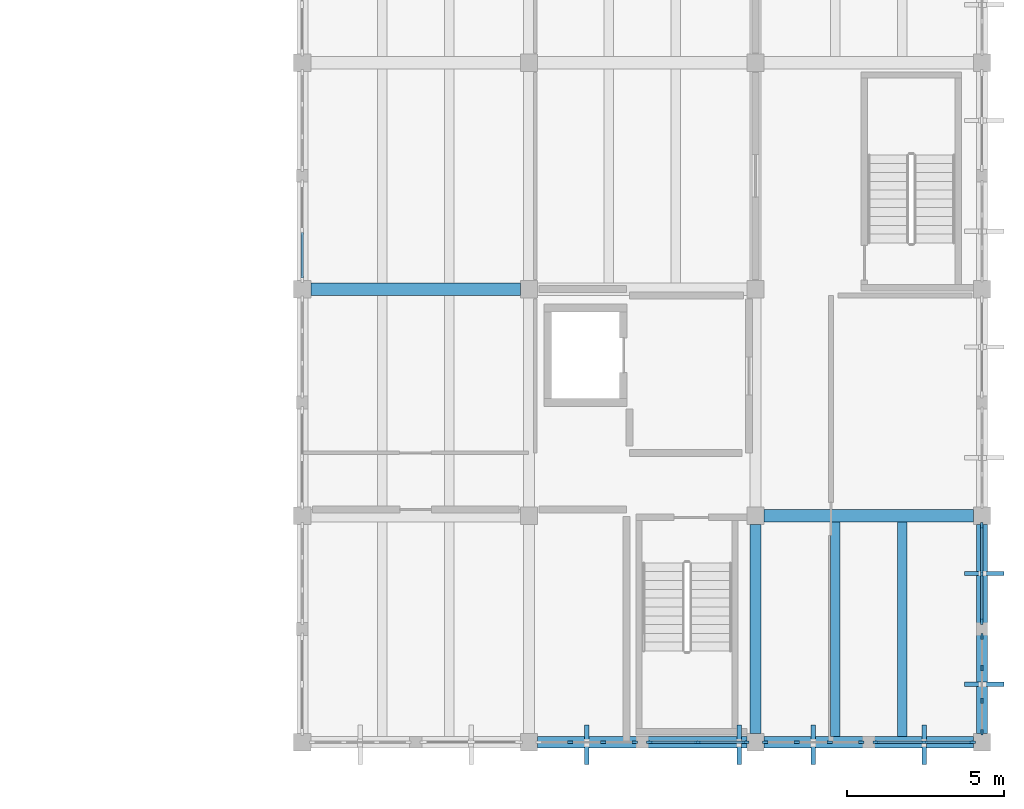
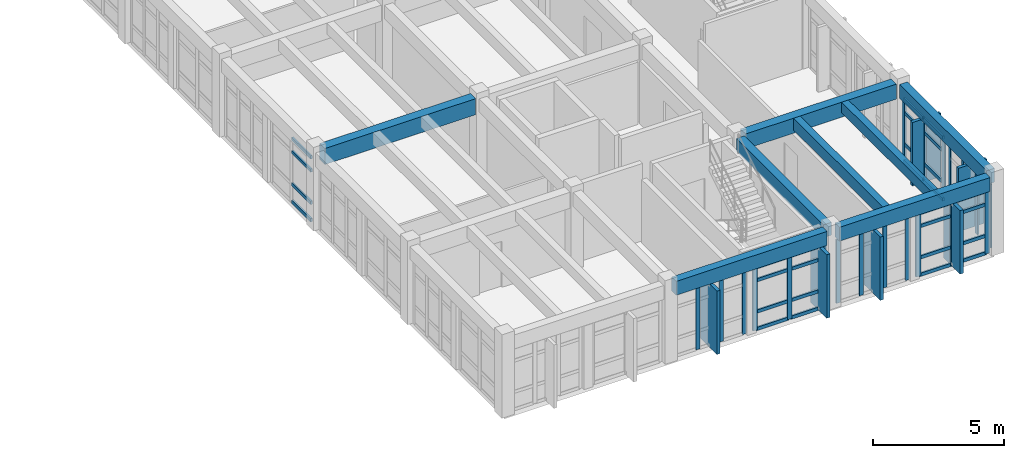
# One storey, part 3 of 22: 54 members, 8 beams, 7 elements without a shape of their own.
"""IFC4 building model written with IfcOpenShell, lengths in metres."""

from ifc_helpers import new_model, si_unit, direction, frame, origin, origin_2d, place, context, subcontext, project, spatial, rectangle, extrude, material, layer, layer_set, material_profile, profile_set, type_object, element, aggregate, save


model = new_model("IFC4")

# Units and contexts
model_context = context("Model", 3, precision=1e-05, world=origin(), true_north=direction((0.0, 1.0)))
body_context = subcontext(model_context, "Body", "Model", "MODEL_VIEW")
ifc_project = project(units=[si_unit("LENGTHUNIT", "METRE"), si_unit("AREAUNIT", "SQUARE_METRE"), si_unit("VOLUMEUNIT", "CUBIC_METRE"), si_unit("PLANEANGLEUNIT", "RADIAN"), si_unit("MASSUNIT", "GRAM", prefix="KILO")], contexts=[model_context])

# Site, building, storey
site_placement = place(None, origin())
site = spatial("IfcSite", under=ifc_project, at=site_placement, CompositionType="ELEMENT")
building_placement = place(site_placement, origin())
building = spatial("IfcBuilding", under=site, at=building_placement, Name="Koriwan Promenade Central Fire Station", CompositionType="ELEMENT")
storey_placement = place(building_placement, frame((0.0, 0.0, 17.39990234375)))
storey = spatial("IfcBuildingStorey", under=building, at=storey_placement, Name="L04", CompositionType="ELEMENT", Elevation=17.39990234375)

# Beams
ifc_material_1 = material(Name="Concrete C35/45", Category="concrete")
ifc_material_profile_1 = material_profile(ifc_material_1, rectangle(XDim=0.300048828125, YDim=0.5, at=origin_2d()), Name="RC-BM-300x500")
ifc_profile_set_1 = profile_set([ifc_material_profile_1], Name="Concrete C35/45")
beam_type_1 = type_object("IfcBeamType", Name="Beam_RC-BM-300x500", PredefinedType="JOIST", material=ifc_profile_set_1)
beam_1_placement = place(storey_placement, frame((170.263916015625, 0.175048828125, 3.3701171875), z_axis=(0.0, 1.0, 0.0), x_axis=(-1.0, 0.0, 0.0)))
element("IfcBeam", 1, at=beam_1_placement, inside=storey, type_object=beam_type_1, Name="V5 L04 secondary joist 969", PredefinedType="JOIST", context=body_context, shape_type="SweptSolid", body=[
    extrude(rectangle(XDim=0.300048828125, YDim=0.5, at=origin_2d()), origin(), (0.0, 0.0, 1.0), 6.824951171875),
])
ifc_material_profile_2 = material_profile(ifc_material_1, rectangle(XDim=0.300048828125, YDim=0.550048828125, at=origin_2d()), Name="RC-BM-300x550")
ifc_profile_set_2 = profile_set([ifc_material_profile_2], Name="Concrete C35/45")
beam_type_2 = type_object("IfcBeamType", Name="Beam_RC-BM-300x550", PredefinedType="JOIST", material=ifc_profile_set_2)
beam_2_placement = place(storey_placement, frame((168.135986328125, 0.175048828125, 3.34521484375), z_axis=(0.0, 1.0, 0.0), x_axis=(-1.0, 0.0, 0.0)))
element("IfcBeam", 2, at=beam_2_placement, inside=storey, type_object=beam_type_2, Name="V5 L04 secondary joist 968", PredefinedType="JOIST", context=body_context, shape_type="SweptSolid", body=[
    extrude(rectangle(XDim=0.300048828125, YDim=0.550048828125, at=origin_2d()), origin(), (0.0, 0.0, 1.0), 6.824951171875),
])
ifc_material_profile_3 = material_profile(ifc_material_1, rectangle(XDim=0.35009765625, YDim=0.60009765625, at=origin_2d()), Name="RC-BM-350x600")
ifc_profile_set_3 = profile_set([ifc_material_profile_3], Name="Concrete C35/45")
beam_type_3 = type_object("IfcBeamType", Name="Beam_RC-BM-350x600", PredefinedType="BEAM", material=ifc_profile_set_3)
beam_3_placement = place(storey_placement, frame((165.60009765625, 0.27490234375, 3.320068359375), z_axis=(0.0, 1.0, 0.0), x_axis=(-1.0, 0.0, 0.0)))
element("IfcBeam", 3, at=beam_3_placement, inside=storey, type_object=beam_type_3, Name="V5 L04 girder Y-956", PredefinedType="BEAM", context=body_context, shape_type="SweptSolid", body=[
    extrude(rectangle(XDim=0.35009765625, YDim=0.60009765625, at=origin_2d()), origin(), (0.0, 0.0, 1.0), 6.650146484375),
])
ifc_material_profile_4 = material_profile(ifc_material_1, rectangle(XDim=0.35009765625, YDim=0.64990234375, at=origin_2d()), Name="RC-BM-350x650")
ifc_profile_set_4 = profile_set([ifc_material_profile_4], Name="Concrete C35/45")
beam_type_4 = type_object("IfcBeamType", Name="Beam_RC-BM-350x650", PredefinedType="BEAM", material=ifc_profile_set_4)
beam_4_placement = place(storey_placement, frame((172.800048828125, 0.27490234375, 3.295166015625), z_axis=(0.0, 1.0, 0.0), x_axis=(-1.0, 0.0, 0.0)))
element("IfcBeam", 4, at=beam_4_placement, inside=storey, type_object=beam_type_4, Name="V5 L04 girder Y-961", PredefinedType="BEAM", context=body_context, shape_type="SweptSolid", body=[
    extrude(rectangle(XDim=0.35009765625, YDim=0.64990234375, at=origin_2d()), origin(), (0.0, 0.0, 1.0), 6.650146484375),
])
ifc_material_profile_5 = material_profile(ifc_material_1, rectangle(XDim=0.39990234375, YDim=0.699951171875, at=origin_2d()), Name="RC-BM-400x700")
ifc_profile_set_5 = profile_set([ifc_material_profile_5], Name="Concrete C35/45")
beam_type_5 = type_object("IfcBeamType", Name="Beam_RC-BM-400x700", PredefinedType="BEAM", material=ifc_profile_set_5)
beam_5_placement = place(storey_placement, frame((165.875, 7.199951171875, 3.27001953125), z_axis=(1.0, 0.0, 0.0), x_axis=(0.0, 1.0, 0.0)))
element("IfcBeam", 5, at=beam_5_placement, inside=storey, type_object=beam_type_5, Name="V5 L04 girder X-934", PredefinedType="BEAM", context=body_context, shape_type="SweptSolid", body=[
    extrude(rectangle(XDim=0.39990234375, YDim=0.699951171875, at=origin_2d()), origin(), (0.0, 0.0, 1.0), 6.64990234375),
])
ifc_material_profile_6 = material_profile(ifc_material_1, rectangle(XDim=0.39990234375, YDim=0.75, at=origin_2d()), Name="RC-BM-400x750")
ifc_profile_set_6 = profile_set([ifc_material_profile_6], Name="Concrete C35/45")
beam_type_6 = type_object("IfcBeamType", Name="Beam_RC-BM-400x750", PredefinedType="BEAM", material=ifc_profile_set_6)
beam_6_placement = place(storey_placement, frame((151.47509765625, 14.39990234375, 3.2451171875), z_axis=(1.0, 0.0, 0.0), x_axis=(0.0, 1.0, 0.0)))
element("IfcBeam", 6, at=beam_6_placement, inside=storey, type_object=beam_type_6, Name="V5 L04 girder X-935", PredefinedType="BEAM", context=body_context, shape_type="SweptSolid", body=[
    extrude(rectangle(XDim=0.39990234375, YDim=0.75, at=origin_2d()), origin(), (0.0, 0.0, 1.0), 6.64990234375),
])
ifc_material_profile_7 = material_profile(ifc_material_1, rectangle(XDim=0.35009765625, YDim=0.64990234375, at=origin_2d()), Name="RC-SP-350x650")
ifc_profile_set_7 = profile_set([ifc_material_profile_7], Name="Concrete C35/45")
beam_type_7 = type_object("IfcBeamType", Name="Beam_RC-SP-350x650", PredefinedType="SPANDREL", material=ifc_profile_set_7)
for number, where, z_axis, x_axis, name in (
    (7, (158.675048828125, 0.0, 3.295166015625), (1.0, 0.0, 0.0), (0.0, 1.0, 0.0), "V5 L04 girder X-931"),
    (8, (165.875, 0.0, 3.295166015625), (1.0, 0.0, 0.0), (0.0, 1.0, 0.0), "V5 L04 girder X-932"),
):
    element("IfcBeam", number, at=place(storey_placement, frame(where, z_axis=z_axis, x_axis=x_axis)), inside=storey, type_object=beam_type_7, Name=name, PredefinedType="SPANDREL", context=body_context, shape_type="SweptSolid", body=[
        extrude(rectangle(XDim=0.35009765625, YDim=0.64990234375, at=origin_2d()), origin(), (0.0, 0.0, 1.0), 6.64990234375),
    ])

# Curtain wall, members
ifc_material_2 = material(Name="Aluminium EN AW-6063-T6 and low-E glazing", Category="aluminium")
ifc_layer_1 = layer(ifc_material_2, 0.159912109375, Name="Aluminium EN AW-6063-T6 and low-E glazing")
ifc_layer_set_1 = layer_set([ifc_layer_1], Name="Aluminium EN AW-6063-T6 and low-E glazing")
curtain_wall_type_1 = type_object("IfcCurtainWallType", Name="CurtainWall_82_312x296", PredefinedType="USERDEFINED", material=ifc_layer_set_1)
curtain_wall_1_placement = place(storey_placement, origin())
curtain_wall_1 = element("IfcCurtainWall", 9, at=curtain_wall_1_placement, inside=storey, type_object=curtain_wall_type_1, Name="V5 L04 unitised curtain wall 251", ObjectType="UNITISED CURTAIN WALL", PredefinedType="USERDEFINED")
ifc_material_3 = material(Name="Aluminium EN AW-6063-T6", Category="aluminium")
ifc_material_profile_8 = material_profile(ifc_material_3, rectangle(XDim=0.074951171875, YDim=0.179931640625, at=origin_2d()), Name="ALU-MUL-75x180")
ifc_profile_set_8 = profile_set([ifc_material_profile_8], Name="Aluminium EN AW-6063-T6")
member_type_1 = type_object("IfcMemberType", Name="CWMullion_ALU-MUL-75x180", PredefinedType="MULLION", material=ifc_profile_set_8)
member_1_placement = place(storey_placement, frame((172.800048828125, 0.3125, 0.0), z_axis=(0.0, 0.0, 1.0), x_axis=(-1.0, 0.0, 0.0)))
member_1 = element("IfcMember", 10, at=member_1_placement, type_object=member_type_1, Name="CW-82 mullion 1", PredefinedType="MULLION", context=body_context, shape_type="SweptSolid", body=[
    extrude(rectangle(XDim=0.074951171875, YDim=0.179931640625, at=origin_2d()), origin(), (0.0, 0.0, 1.0), 2.960205078125),
])
member_2_placement = place(storey_placement, frame((172.800048828125, 1.316650390625, 0.0), z_axis=(0.0, 0.0, 1.0), x_axis=(-1.0, 0.0, 0.0)))
member_2 = element("IfcMember", 11, at=member_2_placement, type_object=member_type_1, Name="CW-82 mullion 2", PredefinedType="MULLION", context=body_context, shape_type="SweptSolid", body=[
    extrude(rectangle(XDim=0.074951171875, YDim=0.179931640625, at=origin_2d()), origin(), (0.0, 0.0, 1.0), 2.960205078125),
])
member_3_placement = place(storey_placement, frame((172.800048828125, 2.3583984375, 0.0), z_axis=(0.0, 0.0, 1.0), x_axis=(-1.0, 0.0, 0.0)))
member_3 = element("IfcMember", 12, at=member_3_placement, type_object=member_type_1, Name="CW-82 mullion 3", PredefinedType="MULLION", context=body_context, shape_type="SweptSolid", body=[
    extrude(rectangle(XDim=0.074951171875, YDim=0.179931640625, at=origin_2d()), origin(), (0.0, 0.0, 1.0), 2.960205078125),
])
member_4_placement = place(storey_placement, frame((172.800048828125, 3.362548828125, 0.0), z_axis=(0.0, 0.0, 1.0), x_axis=(-1.0, 0.0, 0.0)))
member_4 = element("IfcMember", 13, at=member_4_placement, type_object=member_type_1, Name="CW-82 mullion 4", PredefinedType="MULLION", context=body_context, shape_type="SweptSolid", body=[
    extrude(rectangle(XDim=0.074951171875, YDim=0.179931640625, at=origin_2d()), origin(), (0.0, 0.0, 1.0), 2.960205078125),
])
aggregate(curtain_wall_1, [member_1, member_2, member_3, member_4])

curtain_wall_2_placement = place(storey_placement, origin())
curtain_wall_2 = element("IfcCurtainWall", 14, at=curtain_wall_2_placement, inside=storey, type_object=curtain_wall_type_1, Name="V5 L04 unitised curtain wall 273", ObjectType="UNITISED CURTAIN WALL", PredefinedType="USERDEFINED")
member_5_placement = place(storey_placement, frame((159.716552734375, 0.0, 0.0), z_axis=(0.0, 0.0, 1.0), x_axis=(0.0, 1.0, 0.0)))
member_5 = element("IfcMember", 15, at=member_5_placement, type_object=member_type_1, Name="CW-82 mullion 2", PredefinedType="MULLION", context=body_context, shape_type="SweptSolid", body=[
    extrude(rectangle(XDim=0.074951171875, YDim=0.179931640625, at=origin_2d()), origin(), (0.0, 0.0, 1.0), 2.960205078125),
])
member_6_placement = place(storey_placement, frame((160.75830078125, 0.0, 0.0), z_axis=(0.0, 0.0, 1.0), x_axis=(0.0, 1.0, 0.0)))
member_6 = element("IfcMember", 16, at=member_6_placement, type_object=member_type_1, Name="CW-82 mullion 3", PredefinedType="MULLION", context=body_context, shape_type="SweptSolid", body=[
    extrude(rectangle(XDim=0.074951171875, YDim=0.179931640625, at=origin_2d()), origin(), (0.0, 0.0, 1.0), 2.960205078125),
])
member_7_placement = place(storey_placement, frame((161.762451171875, 0.0, 0.0), z_axis=(0.0, 0.0, 1.0), x_axis=(0.0, 1.0, 0.0)))
member_7 = element("IfcMember", 17, at=member_7_placement, type_object=member_type_1, Name="CW-82 mullion 4", PredefinedType="MULLION", context=body_context, shape_type="SweptSolid", body=[
    extrude(rectangle(XDim=0.074951171875, YDim=0.179931640625, at=origin_2d()), origin(), (0.0, 0.0, 1.0), 2.960205078125),
])
aggregate(curtain_wall_2, [member_5, member_6, member_7])

curtain_wall_3_placement = place(storey_placement, origin())
curtain_wall_3 = element("IfcCurtainWall", 18, at=curtain_wall_3_placement, inside=storey, type_object=curtain_wall_type_1, Name="V5 L04 unitised curtain wall 275", ObjectType="UNITISED CURTAIN WALL", PredefinedType="USERDEFINED")
member_8_placement = place(storey_placement, frame((165.91259765625, 0.0, 0.0), z_axis=(0.0, 0.0, 1.0), x_axis=(0.0, 1.0, 0.0)))
member_8 = element("IfcMember", 19, at=member_8_placement, type_object=member_type_1, Name="CW-82 mullion 1", PredefinedType="MULLION", context=body_context, shape_type="SweptSolid", body=[
    extrude(rectangle(XDim=0.074951171875, YDim=0.179931640625, at=origin_2d()), origin(), (0.0, 0.0, 1.0), 2.960205078125),
])
member_9_placement = place(storey_placement, frame((166.916748046875, 0.0, 0.0), z_axis=(0.0, 0.0, 1.0), x_axis=(0.0, 1.0, 0.0)))
member_9 = element("IfcMember", 20, at=member_9_placement, type_object=member_type_1, Name="CW-82 mullion 2", PredefinedType="MULLION", context=body_context, shape_type="SweptSolid", body=[
    extrude(rectangle(XDim=0.074951171875, YDim=0.179931640625, at=origin_2d()), origin(), (0.0, 0.0, 1.0), 2.960205078125),
])
member_10_placement = place(storey_placement, frame((167.958251953125, 0.0, 0.0), z_axis=(0.0, 0.0, 1.0), x_axis=(0.0, 1.0, 0.0)))
member_10 = element("IfcMember", 21, at=member_10_placement, type_object=member_type_1, Name="CW-82 mullion 3", PredefinedType="MULLION", context=body_context, shape_type="SweptSolid", body=[
    extrude(rectangle(XDim=0.074951171875, YDim=0.179931640625, at=origin_2d()), origin(), (0.0, 0.0, 1.0), 2.960205078125),
])
member_11_placement = place(storey_placement, frame((168.96240234375, 0.0, 0.0), z_axis=(0.0, 0.0, 1.0), x_axis=(0.0, 1.0, 0.0)))
member_11 = element("IfcMember", 22, at=member_11_placement, type_object=member_type_1, Name="CW-82 mullion 4", PredefinedType="MULLION", context=body_context, shape_type="SweptSolid", body=[
    extrude(rectangle(XDim=0.074951171875, YDim=0.179931640625, at=origin_2d()), origin(), (0.0, 0.0, 1.0), 2.960205078125),
])
aggregate(curtain_wall_3, [member_8, member_9, member_10, member_11])

ifc_layer_2 = layer(ifc_material_2, 0.159912109375, Name="Aluminium EN AW-6063-T6 and low-E glazing")
ifc_layer_set_2 = layer_set([ifc_layer_2], Name="Aluminium EN AW-6063-T6 and low-E glazing")
curtain_wall_type_2 = type_object("IfcCurtainWallType", Name="CurtainWall_83_312x296", PredefinedType="USERDEFINED", material=ifc_layer_set_2)
curtain_wall_4_placement = place(storey_placement, origin())
curtain_wall_4 = element("IfcCurtainWall", 23, at=curtain_wall_4_placement, inside=storey, type_object=curtain_wall_type_2, Name="V5 L04 unitised curtain wall 252", ObjectType="UNITISED CURTAIN WALL", PredefinedType="USERDEFINED")
ifc_material_profile_9 = material_profile(ifc_material_3, rectangle(XDim=0.080078125, YDim=0.2099609375, at=origin_2d()), Name="ALU-MUL-80x210")
ifc_profile_set_9 = profile_set([ifc_material_profile_9], Name="Aluminium EN AW-6063-T6")
member_type_2 = type_object("IfcMemberType", Name="CWMullion_ALU-MUL-80x210", PredefinedType="MULLION", material=ifc_profile_set_9)
member_12_placement = place(storey_placement, frame((172.800048828125, 3.840087890625, 0.0), z_axis=(0.0, 0.0, 1.0), x_axis=(-1.0, 0.0, 0.0)))
member_12 = element("IfcMember", 24, at=member_12_placement, type_object=member_type_2, Name="CW-83 mullion 1", PredefinedType="MULLION", context=body_context, shape_type="SweptSolid", body=[
    extrude(rectangle(XDim=0.080078125, YDim=0.2099609375, at=origin_2d()), origin(), (0.0, 0.0, 1.0), 2.960205078125),
])
member_13_placement = place(storey_placement, frame((172.800048828125, 5.362548828125, 0.0), z_axis=(0.0, 0.0, 1.0), x_axis=(-1.0, 0.0, 0.0)))
member_13 = element("IfcMember", 25, at=member_13_placement, type_object=member_type_2, Name="CW-83 mullion 2", PredefinedType="MULLION", context=body_context, shape_type="SweptSolid", body=[
    extrude(rectangle(XDim=0.080078125, YDim=0.2099609375, at=origin_2d()), origin(), (0.0, 0.0, 1.0), 2.960205078125),
])
member_14_placement = place(storey_placement, frame((172.800048828125, 6.885009765625, 0.0), z_axis=(0.0, 0.0, 1.0), x_axis=(-1.0, 0.0, 0.0)))
member_14 = element("IfcMember", 26, at=member_14_placement, type_object=member_type_2, Name="CW-83 mullion 3", PredefinedType="MULLION", context=body_context, shape_type="SweptSolid", body=[
    extrude(rectangle(XDim=0.080078125, YDim=0.2099609375, at=origin_2d()), origin(), (0.0, 0.0, 1.0), 2.960205078125),
])

curtain_wall_5_placement = place(storey_placement, origin())
curtain_wall_5 = element("IfcCurtainWall", 27, at=curtain_wall_5_placement, inside=storey, type_object=curtain_wall_type_2, Name="V5 L04 unitised curtain wall 274", ObjectType="UNITISED CURTAIN WALL", PredefinedType="USERDEFINED")
member_15_placement = place(storey_placement, frame((162.239990234375, 0.0, 0.0), z_axis=(0.0, 0.0, 1.0), x_axis=(0.0, 1.0, 0.0)))
member_15 = element("IfcMember", 28, at=member_15_placement, type_object=member_type_2, Name="CW-83 mullion 1", PredefinedType="MULLION", context=body_context, shape_type="SweptSolid", body=[
    extrude(rectangle(XDim=0.080078125, YDim=0.2099609375, at=origin_2d()), origin(), (0.0, 0.0, 1.0), 2.960205078125),
])
member_16_placement = place(storey_placement, frame((163.762451171875, 0.0, 0.0), z_axis=(0.0, 0.0, 1.0), x_axis=(0.0, 1.0, 0.0)))
member_16 = element("IfcMember", 29, at=member_16_placement, type_object=member_type_2, Name="CW-83 mullion 2", PredefinedType="MULLION", context=body_context, shape_type="SweptSolid", body=[
    extrude(rectangle(XDim=0.080078125, YDim=0.2099609375, at=origin_2d()), origin(), (0.0, 0.0, 1.0), 2.960205078125),
])
member_17_placement = place(storey_placement, frame((165.284912109375, 0.0, 0.0), z_axis=(0.0, 0.0, 1.0), x_axis=(0.0, 1.0, 0.0)))
member_17 = element("IfcMember", 30, at=member_17_placement, type_object=member_type_2, Name="CW-83 mullion 3", PredefinedType="MULLION", context=body_context, shape_type="SweptSolid", body=[
    extrude(rectangle(XDim=0.080078125, YDim=0.2099609375, at=origin_2d()), origin(), (0.0, 0.0, 1.0), 2.960205078125),
])

curtain_wall_6_placement = place(storey_placement, origin())
curtain_wall_6 = element("IfcCurtainWall", 31, at=curtain_wall_6_placement, inside=storey, type_object=curtain_wall_type_2, Name="V5 L04 unitised curtain wall 276", ObjectType="UNITISED CURTAIN WALL", PredefinedType="USERDEFINED")
member_18_placement = place(storey_placement, frame((169.43994140625, 0.0, 0.0), z_axis=(0.0, 0.0, 1.0), x_axis=(0.0, 1.0, 0.0)))
member_18 = element("IfcMember", 32, at=member_18_placement, type_object=member_type_2, Name="CW-83 mullion 1", PredefinedType="MULLION", context=body_context, shape_type="SweptSolid", body=[
    extrude(rectangle(XDim=0.080078125, YDim=0.2099609375, at=origin_2d()), origin(), (0.0, 0.0, 1.0), 2.960205078125),
])
member_19_placement = place(storey_placement, frame((170.96240234375, 0.0, 0.0), z_axis=(0.0, 0.0, 1.0), x_axis=(0.0, 1.0, 0.0)))
member_19 = element("IfcMember", 33, at=member_19_placement, type_object=member_type_2, Name="CW-83 mullion 2", PredefinedType="MULLION", context=body_context, shape_type="SweptSolid", body=[
    extrude(rectangle(XDim=0.080078125, YDim=0.2099609375, at=origin_2d()), origin(), (0.0, 0.0, 1.0), 2.960205078125),
])
member_20_placement = place(storey_placement, frame((172.485107421875, 0.0, 0.0), z_axis=(0.0, 0.0, 1.0), x_axis=(0.0, 1.0, 0.0)))
member_20 = element("IfcMember", 34, at=member_20_placement, type_object=member_type_2, Name="CW-83 mullion 3", PredefinedType="MULLION", context=body_context, shape_type="SweptSolid", body=[
    extrude(rectangle(XDim=0.080078125, YDim=0.2099609375, at=origin_2d()), origin(), (0.0, 0.0, 1.0), 2.960205078125),
])

# Member
ifc_material_profile_10 = material_profile(ifc_material_3, rectangle(XDim=0.080078125, YDim=0.155029296875, at=origin_2d()), Name="ALU-TRN-80x155")
ifc_profile_set_10 = profile_set([ifc_material_profile_10], Name="Aluminium EN AW-6063-T6")
member_type_3 = type_object("IfcMemberType", Name="CWTransom_ALU-TRN-80x155", PredefinedType="USERDEFINED", material=ifc_profile_set_10)
member_21_placement = place(storey_placement, frame((172.800048828125, 3.8798828125, 0.0400390625), z_axis=(0.0, 1.0, 0.0), x_axis=(-1.0, 0.0, 0.0)))
member_21 = element("IfcMember", 35, at=member_21_placement, type_object=member_type_3, Name="CW-83 transom 1.1", ObjectType="TRANSOM", PredefinedType="USERDEFINED", context=body_context, shape_type="SweptSolid", body=[
    extrude(rectangle(XDim=0.080078125, YDim=0.155029296875, at=origin_2d()), origin(), (0.0, 0.0, 1.0), 1.442626953125),
])

member_22_placement = place(storey_placement, frame((172.800048828125, 3.8798828125, 0.85009765625), z_axis=(0.0, 1.0, 0.0), x_axis=(-1.0, 0.0, 0.0)))
member_22 = element("IfcMember", 36, at=member_22_placement, type_object=member_type_3, Name="CW-83 transom 1.2", ObjectType="TRANSOM", PredefinedType="USERDEFINED", context=body_context, shape_type="SweptSolid", body=[
    extrude(rectangle(XDim=0.080078125, YDim=0.155029296875, at=origin_2d()), origin(), (0.0, 0.0, 1.0), 1.442626953125),
])

member_23_placement = place(storey_placement, frame((172.800048828125, 3.8798828125, 2.31005859375), z_axis=(0.0, 1.0, 0.0), x_axis=(-1.0, 0.0, 0.0)))
member_23 = element("IfcMember", 37, at=member_23_placement, type_object=member_type_3, Name="CW-83 transom 1.3", ObjectType="TRANSOM", PredefinedType="USERDEFINED", context=body_context, shape_type="SweptSolid", body=[
    extrude(rectangle(XDim=0.080078125, YDim=0.155029296875, at=origin_2d()), origin(), (0.0, 0.0, 1.0), 1.442626953125),
])

member_24_placement = place(storey_placement, frame((172.800048828125, 3.8798828125, 2.920166015625), z_axis=(0.0, 1.0, 0.0), x_axis=(-1.0, 0.0, 0.0)))
member_24 = element("IfcMember", 38, at=member_24_placement, type_object=member_type_3, Name="CW-83 transom 1.4", ObjectType="TRANSOM", PredefinedType="USERDEFINED", context=body_context, shape_type="SweptSolid", body=[
    extrude(rectangle(XDim=0.080078125, YDim=0.155029296875, at=origin_2d()), origin(), (0.0, 0.0, 1.0), 1.442626953125),
])

member_25_placement = place(storey_placement, frame((172.800048828125, 5.402587890625, 0.0400390625), z_axis=(0.0, 1.0, 0.0), x_axis=(-1.0, 0.0, 0.0)))
member_25 = element("IfcMember", 39, at=member_25_placement, type_object=member_type_3, Name="CW-83 transom 2.1", ObjectType="TRANSOM", PredefinedType="USERDEFINED", context=body_context, shape_type="SweptSolid", body=[
    extrude(rectangle(XDim=0.080078125, YDim=0.155029296875, at=origin_2d()), origin(), (0.0, 0.0, 1.0), 1.4423828125),
])

member_26_placement = place(storey_placement, frame((172.800048828125, 5.402587890625, 0.85009765625), z_axis=(0.0, 1.0, 0.0), x_axis=(-1.0, 0.0, 0.0)))
member_26 = element("IfcMember", 40, at=member_26_placement, type_object=member_type_3, Name="CW-83 transom 2.2", ObjectType="TRANSOM", PredefinedType="USERDEFINED", context=body_context, shape_type="SweptSolid", body=[
    extrude(rectangle(XDim=0.080078125, YDim=0.155029296875, at=origin_2d()), origin(), (0.0, 0.0, 1.0), 1.4423828125),
])

member_27_placement = place(storey_placement, frame((172.800048828125, 5.402587890625, 2.31005859375), z_axis=(0.0, 1.0, 0.0), x_axis=(-1.0, 0.0, 0.0)))
member_27 = element("IfcMember", 41, at=member_27_placement, type_object=member_type_3, Name="CW-83 transom 2.3", ObjectType="TRANSOM", PredefinedType="USERDEFINED", context=body_context, shape_type="SweptSolid", body=[
    extrude(rectangle(XDim=0.080078125, YDim=0.155029296875, at=origin_2d()), origin(), (0.0, 0.0, 1.0), 1.4423828125),
])

member_28_placement = place(storey_placement, frame((172.800048828125, 5.402587890625, 2.920166015625), z_axis=(0.0, 1.0, 0.0), x_axis=(-1.0, 0.0, 0.0)))
member_28 = element("IfcMember", 42, at=member_28_placement, type_object=member_type_3, Name="CW-83 transom 2.4", ObjectType="TRANSOM", PredefinedType="USERDEFINED", context=body_context, shape_type="SweptSolid", body=[
    extrude(rectangle(XDim=0.080078125, YDim=0.155029296875, at=origin_2d()), origin(), (0.0, 0.0, 1.0), 1.4423828125),
])

aggregate(curtain_wall_4, [member_12, member_13, member_14, member_21, member_22, member_23, member_24, member_25, member_26, member_27, member_28])

# Curtain wall, members
ifc_layer_3 = layer(ifc_material_2, 0.159912109375, Name="Aluminium EN AW-6063-T6 and low-E glazing")
ifc_layer_set_3 = layer_set([ifc_layer_3], Name="Aluminium EN AW-6063-T6 and low-E glazing")
curtain_wall_type_3 = type_object("IfcCurtainWallType", Name="CurtainWall_85_312x301", PredefinedType="USERDEFINED", material=ifc_layer_set_3)
curtain_wall_7_placement = place(storey_placement, origin())
curtain_wall_7 = element("IfcCurtainWall", 43, at=curtain_wall_7_placement, inside=storey, type_object=curtain_wall_type_3, Name="V5 L04 unitised curtain wall 266", ObjectType="UNITISED CURTAIN WALL", PredefinedType="USERDEFINED")
member_29_placement = place(storey_placement, frame((151.199951171875, 16.197509765625, 0.0400390625), z_axis=(0.0, -1.0, 0.0), x_axis=(1.0, 0.0, 0.0)))
member_29 = element("IfcMember", 44, at=member_29_placement, type_object=member_type_3, Name="CW-85 transom 2.1", ObjectType="TRANSOM", PredefinedType="USERDEFINED", context=body_context, shape_type="SweptSolid", body=[
    extrude(rectangle(XDim=0.080078125, YDim=0.155029296875, at=origin_2d()), origin(), (0.0, 0.0, 1.0), 1.442626953125),
])
member_30_placement = place(storey_placement, frame((151.199951171875, 16.197509765625, 0.85009765625), z_axis=(0.0, -1.0, 0.0), x_axis=(1.0, 0.0, 0.0)))
member_30 = element("IfcMember", 45, at=member_30_placement, type_object=member_type_3, Name="CW-85 transom 2.2", ObjectType="TRANSOM", PredefinedType="USERDEFINED", context=body_context, shape_type="SweptSolid", body=[
    extrude(rectangle(XDim=0.080078125, YDim=0.155029296875, at=origin_2d()), origin(), (0.0, 0.0, 1.0), 1.442626953125),
])
member_31_placement = place(storey_placement, frame((151.199951171875, 16.197509765625, 2.360107421875), z_axis=(0.0, -1.0, 0.0), x_axis=(1.0, 0.0, 0.0)))
member_31 = element("IfcMember", 46, at=member_31_placement, type_object=member_type_3, Name="CW-85 transom 2.3", ObjectType="TRANSOM", PredefinedType="USERDEFINED", context=body_context, shape_type="SweptSolid", body=[
    extrude(rectangle(XDim=0.080078125, YDim=0.155029296875, at=origin_2d()), origin(), (0.0, 0.0, 1.0), 1.442626953125),
])
member_32_placement = place(storey_placement, frame((151.199951171875, 16.197509765625, 2.97021484375), z_axis=(0.0, -1.0, 0.0), x_axis=(1.0, 0.0, 0.0)))
member_32 = element("IfcMember", 47, at=member_32_placement, type_object=member_type_3, Name="CW-85 transom 2.4", ObjectType="TRANSOM", PredefinedType="USERDEFINED", context=body_context, shape_type="SweptSolid", body=[
    extrude(rectangle(XDim=0.080078125, YDim=0.155029296875, at=origin_2d()), origin(), (0.0, 0.0, 1.0), 1.442626953125),
])
aggregate(curtain_wall_7, [member_29, member_30, member_31, member_32])

# Member
member_33_placement = place(storey_placement, frame((162.280029296875, 0.0, 0.0400390625), z_axis=(1.0, 0.0, 0.0), x_axis=(0.0, 1.0, 0.0)))
member_33 = element("IfcMember", 48, at=member_33_placement, type_object=member_type_3, Name="CW-83 transom 1.1", ObjectType="TRANSOM", PredefinedType="USERDEFINED", context=body_context, shape_type="SweptSolid", body=[
    extrude(rectangle(XDim=0.080078125, YDim=0.155029296875, at=origin_2d()), origin(), (0.0, 0.0, 1.0), 1.4423828125),
])

member_34_placement = place(storey_placement, frame((162.280029296875, 0.0, 0.85009765625), z_axis=(1.0, 0.0, 0.0), x_axis=(0.0, 1.0, 0.0)))
member_34 = element("IfcMember", 49, at=member_34_placement, type_object=member_type_3, Name="CW-83 transom 1.2", ObjectType="TRANSOM", PredefinedType="USERDEFINED", context=body_context, shape_type="SweptSolid", body=[
    extrude(rectangle(XDim=0.080078125, YDim=0.155029296875, at=origin_2d()), origin(), (0.0, 0.0, 1.0), 1.4423828125),
])

member_35_placement = place(storey_placement, frame((162.280029296875, 0.0, 2.31005859375), z_axis=(1.0, 0.0, 0.0), x_axis=(0.0, 1.0, 0.0)))
member_35 = element("IfcMember", 50, at=member_35_placement, type_object=member_type_3, Name="CW-83 transom 1.3", ObjectType="TRANSOM", PredefinedType="USERDEFINED", context=body_context, shape_type="SweptSolid", body=[
    extrude(rectangle(XDim=0.080078125, YDim=0.155029296875, at=origin_2d()), origin(), (0.0, 0.0, 1.0), 1.4423828125),
])

member_36_placement = place(storey_placement, frame((162.280029296875, 0.0, 2.920166015625), z_axis=(1.0, 0.0, 0.0), x_axis=(0.0, 1.0, 0.0)))
member_36 = element("IfcMember", 51, at=member_36_placement, type_object=member_type_3, Name="CW-83 transom 1.4", ObjectType="TRANSOM", PredefinedType="USERDEFINED", context=body_context, shape_type="SweptSolid", body=[
    extrude(rectangle(XDim=0.080078125, YDim=0.155029296875, at=origin_2d()), origin(), (0.0, 0.0, 1.0), 1.4423828125),
])

member_37_placement = place(storey_placement, frame((163.802490234375, 0.0, 0.0400390625), z_axis=(1.0, 0.0, 0.0), x_axis=(0.0, 1.0, 0.0)))
member_37 = element("IfcMember", 52, at=member_37_placement, type_object=member_type_3, Name="CW-83 transom 2.1", ObjectType="TRANSOM", PredefinedType="USERDEFINED", context=body_context, shape_type="SweptSolid", body=[
    extrude(rectangle(XDim=0.080078125, YDim=0.155029296875, at=origin_2d()), origin(), (0.0, 0.0, 1.0), 1.442626953125),
])

member_38_placement = place(storey_placement, frame((163.802490234375, 0.0, 0.85009765625), z_axis=(1.0, 0.0, 0.0), x_axis=(0.0, 1.0, 0.0)))
member_38 = element("IfcMember", 53, at=member_38_placement, type_object=member_type_3, Name="CW-83 transom 2.2", ObjectType="TRANSOM", PredefinedType="USERDEFINED", context=body_context, shape_type="SweptSolid", body=[
    extrude(rectangle(XDim=0.080078125, YDim=0.155029296875, at=origin_2d()), origin(), (0.0, 0.0, 1.0), 1.442626953125),
])

member_39_placement = place(storey_placement, frame((163.802490234375, 0.0, 2.31005859375), z_axis=(1.0, 0.0, 0.0), x_axis=(0.0, 1.0, 0.0)))
member_39 = element("IfcMember", 54, at=member_39_placement, type_object=member_type_3, Name="CW-83 transom 2.3", ObjectType="TRANSOM", PredefinedType="USERDEFINED", context=body_context, shape_type="SweptSolid", body=[
    extrude(rectangle(XDim=0.080078125, YDim=0.155029296875, at=origin_2d()), origin(), (0.0, 0.0, 1.0), 1.442626953125),
])

member_40_placement = place(storey_placement, frame((163.802490234375, 0.0, 2.920166015625), z_axis=(1.0, 0.0, 0.0), x_axis=(0.0, 1.0, 0.0)))
member_40 = element("IfcMember", 55, at=member_40_placement, type_object=member_type_3, Name="CW-83 transom 2.4", ObjectType="TRANSOM", PredefinedType="USERDEFINED", context=body_context, shape_type="SweptSolid", body=[
    extrude(rectangle(XDim=0.080078125, YDim=0.155029296875, at=origin_2d()), origin(), (0.0, 0.0, 1.0), 1.442626953125),
])

aggregate(curtain_wall_5, [member_15, member_16, member_17, member_33, member_34, member_35, member_36, member_37, member_38, member_39, member_40])

member_41_placement = place(storey_placement, frame((169.47998046875, 0.0, 0.0400390625), z_axis=(1.0, 0.0, 0.0), x_axis=(0.0, 1.0, 0.0)))
member_41 = element("IfcMember", 56, at=member_41_placement, type_object=member_type_3, Name="CW-83 transom 1.1", ObjectType="TRANSOM", PredefinedType="USERDEFINED", context=body_context, shape_type="SweptSolid", body=[
    extrude(rectangle(XDim=0.080078125, YDim=0.155029296875, at=origin_2d()), origin(), (0.0, 0.0, 1.0), 1.442626953125),
])

member_42_placement = place(storey_placement, frame((169.47998046875, 0.0, 0.85009765625), z_axis=(1.0, 0.0, 0.0), x_axis=(0.0, 1.0, 0.0)))
member_42 = element("IfcMember", 57, at=member_42_placement, type_object=member_type_3, Name="CW-83 transom 1.2", ObjectType="TRANSOM", PredefinedType="USERDEFINED", context=body_context, shape_type="SweptSolid", body=[
    extrude(rectangle(XDim=0.080078125, YDim=0.155029296875, at=origin_2d()), origin(), (0.0, 0.0, 1.0), 1.442626953125),
])

member_43_placement = place(storey_placement, frame((169.47998046875, 0.0, 2.31005859375), z_axis=(1.0, 0.0, 0.0), x_axis=(0.0, 1.0, 0.0)))
member_43 = element("IfcMember", 58, at=member_43_placement, type_object=member_type_3, Name="CW-83 transom 1.3", ObjectType="TRANSOM", PredefinedType="USERDEFINED", context=body_context, shape_type="SweptSolid", body=[
    extrude(rectangle(XDim=0.080078125, YDim=0.155029296875, at=origin_2d()), origin(), (0.0, 0.0, 1.0), 1.442626953125),
])

member_44_placement = place(storey_placement, frame((169.47998046875, 0.0, 2.920166015625), z_axis=(1.0, 0.0, 0.0), x_axis=(0.0, 1.0, 0.0)))
member_44 = element("IfcMember", 59, at=member_44_placement, type_object=member_type_3, Name="CW-83 transom 1.4", ObjectType="TRANSOM", PredefinedType="USERDEFINED", context=body_context, shape_type="SweptSolid", body=[
    extrude(rectangle(XDim=0.080078125, YDim=0.155029296875, at=origin_2d()), origin(), (0.0, 0.0, 1.0), 1.442626953125),
])

member_45_placement = place(storey_placement, frame((171.00244140625, 0.0, 0.0400390625), z_axis=(1.0, 0.0, 0.0), x_axis=(0.0, 1.0, 0.0)))
member_45 = element("IfcMember", 60, at=member_45_placement, type_object=member_type_3, Name="CW-83 transom 2.1", ObjectType="TRANSOM", PredefinedType="USERDEFINED", context=body_context, shape_type="SweptSolid", body=[
    extrude(rectangle(XDim=0.080078125, YDim=0.155029296875, at=origin_2d()), origin(), (0.0, 0.0, 1.0), 1.442626953125),
])

member_46_placement = place(storey_placement, frame((171.00244140625, 0.0, 0.85009765625), z_axis=(1.0, 0.0, 0.0), x_axis=(0.0, 1.0, 0.0)))
member_46 = element("IfcMember", 61, at=member_46_placement, type_object=member_type_3, Name="CW-83 transom 2.2", ObjectType="TRANSOM", PredefinedType="USERDEFINED", context=body_context, shape_type="SweptSolid", body=[
    extrude(rectangle(XDim=0.080078125, YDim=0.155029296875, at=origin_2d()), origin(), (0.0, 0.0, 1.0), 1.442626953125),
])

member_47_placement = place(storey_placement, frame((171.00244140625, 0.0, 2.31005859375), z_axis=(1.0, 0.0, 0.0), x_axis=(0.0, 1.0, 0.0)))
member_47 = element("IfcMember", 62, at=member_47_placement, type_object=member_type_3, Name="CW-83 transom 2.3", ObjectType="TRANSOM", PredefinedType="USERDEFINED", context=body_context, shape_type="SweptSolid", body=[
    extrude(rectangle(XDim=0.080078125, YDim=0.155029296875, at=origin_2d()), origin(), (0.0, 0.0, 1.0), 1.442626953125),
])

member_48_placement = place(storey_placement, frame((171.00244140625, 0.0, 2.920166015625), z_axis=(1.0, 0.0, 0.0), x_axis=(0.0, 1.0, 0.0)))
member_48 = element("IfcMember", 63, at=member_48_placement, type_object=member_type_3, Name="CW-83 transom 2.4", ObjectType="TRANSOM", PredefinedType="USERDEFINED", context=body_context, shape_type="SweptSolid", body=[
    extrude(rectangle(XDim=0.080078125, YDim=0.155029296875, at=origin_2d()), origin(), (0.0, 0.0, 1.0), 1.442626953125),
])

aggregate(curtain_wall_6, [member_18, member_19, member_20, member_41, member_42, member_43, member_44, member_45, member_46, member_47, member_48])

# Members
ifc_material_4 = material(Name="Aluminium EN AW-6063-T6 terracotta finish", Category="masonry")
ifc_material_profile_11 = material_profile(ifc_material_4, rectangle(XDim=0.139892578125, YDim=1.25, at=origin_2d()), Name="FIN-TRC-140x1250")
ifc_profile_set_11 = profile_set([ifc_material_profile_11], Name="Aluminium EN AW-6063-T6 terracotta finish")
member_type_4 = type_object("IfcMemberType", Name="SolarFin_FIN-TRC-140x1250", PredefinedType="USERDEFINED", material=ifc_profile_set_11)
for number, where, z_axis, x_axis, name in (
    (64, (172.875, 1.83740234375, 0.0), (0.0, 0.0, 1.0), (0.0, -1.0, 0.0), "V5 L04 terracotta solar fin 085"),
    (65, (172.875, 5.362548828125, 0.0), (0.0, 0.0, 1.0), (0.0, -1.0, 0.0), "V5 L04 terracotta solar fin 086"),
    (66, (160.237548828125, -0.074951171875, 0.0), (0.0, 0.0, 1.0), (-1.0, 0.0, 0.0), "V5 L04 terracotta solar fin 097"),
    (67, (165.080078125, -0.074951171875, 0.0), (0.0, 0.0, 1.0), (-1.0, 0.0, 0.0), "V5 L04 terracotta solar fin 098"),
    (68, (167.4375, -0.074951171875, 0.0), (0.0, 0.0, 1.0), (-1.0, 0.0, 0.0), "V5 L04 terracotta solar fin 099"),
    (69, (170.96240234375, -0.074951171875, 0.0), (0.0, 0.0, 1.0), (-1.0, 0.0, 0.0), "V5 L04 terracotta solar fin 100"),
):
    element("IfcMember", number, at=place(storey_placement, frame(where, z_axis=z_axis, x_axis=x_axis)), inside=storey, type_object=member_type_4, Name=name, ObjectType="SOLAR FIN", PredefinedType="USERDEFINED", context=body_context, shape_type="SweptSolid", body=[
        extrude(rectangle(XDim=0.139892578125, YDim=1.25, at=origin_2d()), origin(), (0.0, 0.0, 1.0), 2.960205078125),
    ])

save(model, "model.ifc")
